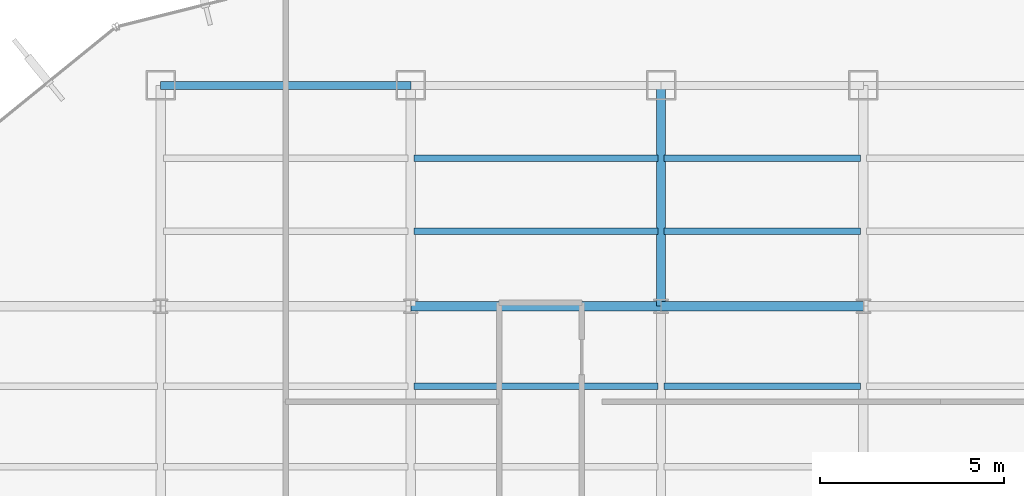
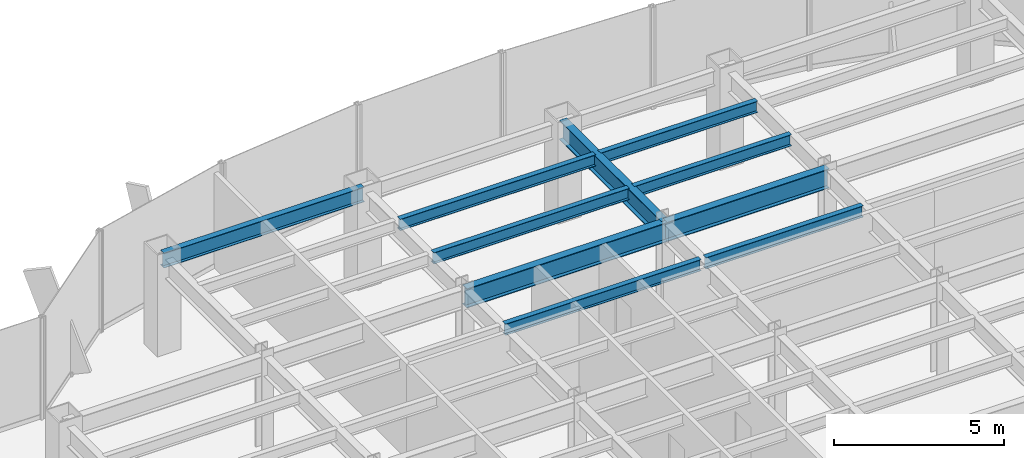
# One storey, part 15 of 26: 10 beams.
"""IFC4 building model written with IfcOpenShell, lengths in metres."""

from ifc_helpers import new_model, si_unit, derived_unit, direction, frame, origin, origin_2d, place, context, subcontext, project, spatial, i_section, extrude, source, transform, mapped, material, material_profile, profile_set, type_object, element, save


model = new_model("IFC4")

# Units and contexts
model_context = context("Model", 3, precision=1e-05, world=origin(), true_north=direction((0.0, 1.0)))
body_context = subcontext(model_context, "Body", "Model", "MODEL_VIEW")
ifc_project = project(units=[si_unit("LENGTHUNIT", "METRE"), si_unit("AREAUNIT", "SQUARE_METRE"), si_unit("VOLUMEUNIT", "CUBIC_METRE"), si_unit("PLANEANGLEUNIT", "RADIAN"), si_unit("MASSUNIT", "GRAM", prefix="KILO"), derived_unit("THERMALTRANSMITTANCEUNIT", [(si_unit("POWERUNIT", "WATT"), 1), (si_unit("LENGTHUNIT", "METRE"), -2), (si_unit("THERMODYNAMICTEMPERATUREUNIT", "KELVIN"), -1)])], contexts=[model_context])

# Site, building, storey
site_placement = place(None, origin())
site = spatial("IfcSite", under=ifc_project, at=site_placement, CompositionType="ELEMENT")
building_placement = place(site_placement, origin())
building = spatial("IfcBuilding", under=site, at=building_placement, Name="Skarnbrae Concourse Arena and Tower", CompositionType="ELEMENT")
storey_placement = place(building_placement, frame((0.0, 0.0, 114.199951171875)))
storey = spatial("IfcBuildingStorey", under=building, at=storey_placement, Name="L28", CompositionType="ELEMENT", Elevation=114.199951171875)

# Beams
ifc_material = material(Name="Steel CSA G40.21 350W", Category="steel")
ifc_material_profile_1 = material_profile(ifc_material, i_section(OverallWidth=0.256103515625, OverallDepth=0.693115234375, WebThickness=0.014404296875, FlangeThickness=0.023681640625, at=origin_2d()), Name="W690X170")
ifc_profile_set_1 = profile_set([ifc_material_profile_1], Name="Steel CSA G40.21 350W")
beam_type_1 = type_object("IfcBeamType", Name="BM-GIRD-W690X170", PredefinedType="BEAM", material=ifc_profile_set_1)
shared_shape_1 = source(origin(), body_context, "Body", "SweptSolid", [
    extrude(i_section(OverallWidth=0.256103515625, OverallDepth=0.693115234375, WebThickness=0.014404296875, FlangeThickness=0.023681640625, at=origin_2d()), origin(), (0.0, 0.0, 1.0), 6.800048828125),
])
beam_1_placement = place(storey_placement, frame((21.199951171875, 34.39990234375, 3.053466796875), z_axis=(1.0, 0.0, 0.0), x_axis=(0.0, 1.0, 0.0)))
element("IfcBeam", 1, at=beam_1_placement, inside=storey, type_object=beam_type_1, Name="L28 Primary E-W girder Y34.4-3", PredefinedType="BEAM", context=body_context, shape_type="MappedRepresentation", body=[
    mapped(shared_shape_1, transform((0.0, 0.0, 0.0))),
])
shared_shape_2 = source(origin(), body_context, "Body", "SweptSolid", [
    extrude(i_section(OverallWidth=0.256103515625, OverallDepth=0.693115234375, WebThickness=0.014404296875, FlangeThickness=0.023681640625, at=origin_2d()), origin(), (0.0, 0.0, 1.0), 5.5),
])
beam_2_placement = place(storey_placement, frame((28.0, 34.39990234375, 3.053466796875), z_axis=(1.0, 0.0, 0.0), x_axis=(0.0, 1.0, 0.0)))
element("IfcBeam", 2, at=beam_2_placement, inside=storey, type_object=beam_type_1, Name="L28 Primary E-W girder Y34.4-4", PredefinedType="BEAM", context=body_context, shape_type="MappedRepresentation", body=[
    mapped(shared_shape_2, transform((0.0, 0.0, 0.0))),
])
ifc_material_profile_2 = material_profile(ifc_material, i_section(OverallWidth=0.208984375, OverallDepth=0.532958984375, WebThickness=0.01025390625, FlangeThickness=0.015625, at=origin_2d()), Name="W530X92")
ifc_profile_set_2 = profile_set([ifc_material_profile_2], Name="Steel CSA G40.21 350W")
beam_type_2 = type_object("IfcBeamType", Name="BM-SPAN-W530X92", PredefinedType="SPANDREL", material=ifc_profile_set_2)
shared_shape_3 = source(origin(), body_context, "Body", "SweptSolid", [
    extrude(i_section(OverallWidth=0.208984375, OverallDepth=0.532958984375, WebThickness=0.01025390625, FlangeThickness=0.015625, at=origin_2d()), origin(), (0.0, 0.0, 1.0), 6.800048828125),
])
beam_3_placement = place(storey_placement, frame((14.39990234375, 40.39990234375, 3.133544921875), z_axis=(1.0, 0.0, 0.0), x_axis=(0.0, 1.0, 0.0)))
element("IfcBeam", 3, at=beam_3_placement, inside=storey, type_object=beam_type_2, Name="L28 Perimeter spandrel Y40.4-1", PredefinedType="SPANDREL", context=body_context, shape_type="MappedRepresentation", body=[
    mapped(shared_shape_3, transform((0.0, 0.0, 0.0))),
])
shared_shape_4 = source(origin(), body_context, "Body", "SweptSolid", [
    extrude(i_section(OverallWidth=0.256103515625, OverallDepth=0.693115234375, WebThickness=0.014404296875, FlangeThickness=0.023681640625, at=origin_2d()), origin(), (0.0, 0.0, 1.0), 6.0),
])
beam_4_placement = place(storey_placement, frame((28.0, 34.39990234375, 3.053466796875), z_axis=(0.0, 1.0, 0.0), x_axis=(-1.0, 0.0, 0.0)))
element("IfcBeam", 4, at=beam_4_placement, inside=storey, type_object=beam_type_1, Name="L28 Primary N-S girder X28.0-4", PredefinedType="BEAM", context=body_context, shape_type="MappedRepresentation", body=[
    mapped(shared_shape_4, transform((0.0, 0.0, 0.0))),
])
ifc_material_profile_3 = material_profile(ifc_material, i_section(OverallWidth=0.177978515625, OverallDepth=0.406982421875, WebThickness=0.0078125, FlangeThickness=0.0126953125, at=origin_2d()), Name="W410X60")
ifc_profile_set_3 = profile_set([ifc_material_profile_3], Name="Steel CSA G40.21 350W")
beam_type_3 = type_object("IfcBeamType", Name="BM-JOIST-W410X60", PredefinedType="JOIST", material=ifc_profile_set_3)
shared_shape_5 = source(origin(), body_context, "Body", "SweptSolid", [
    extrude(i_section(OverallWidth=0.177978515625, OverallDepth=0.406982421875, WebThickness=0.0078125, FlangeThickness=0.0126953125, at=origin_2d()), origin(), (0.0, 0.0, 1.0), 6.639892578125),
])
for number, where, z_axis, x_axis, name in (
    (5, (21.280029296875, 32.221923828125, 3.196533203125), (1.0, 0.0, 0.0), (0.0, 1.0, 0.0), "L28 Secondary floor joist 3.2.3"),
    (6, (21.280029296875, 36.43994140625, 3.196533203125), (1.0, 0.0, 0.0), (0.0, 1.0, 0.0), "L28 Secondary floor joist 4.1.2"),
    (7, (21.280029296875, 38.419921875, 3.196533203125), (1.0, 0.0, 0.0), (0.0, 1.0, 0.0), "L28 Secondary floor joist 4.2.2"),
):
    element("IfcBeam", number, at=place(storey_placement, frame(where, z_axis=z_axis, x_axis=x_axis)), inside=storey, type_object=beam_type_3, Name=name, PredefinedType="JOIST", context=body_context, shape_type="MappedRepresentation", body=[
        mapped(shared_shape_5, transform((0.0, 0.0, 0.0))),
    ])
shared_shape_6 = source(origin(), body_context, "Body", "SweptSolid", [
    extrude(i_section(OverallWidth=0.177978515625, OverallDepth=0.406982421875, WebThickness=0.0078125, FlangeThickness=0.0126953125, at=origin_2d()), origin(), (0.0, 0.0, 1.0), 5.33984375),
])
for number, where, z_axis, x_axis, name in (
    (8, (28.080078125, 32.221923828125, 3.196533203125), (1.0, 0.0, 0.0), (0.0, 1.0, 0.0), "L28 Secondary floor joist 3.2.4"),
    (9, (28.080078125, 36.43994140625, 3.196533203125), (1.0, 0.0, 0.0), (0.0, 1.0, 0.0), "L28 Secondary floor joist 4.1.3"),
    (10, (28.080078125, 38.419921875, 3.196533203125), (1.0, 0.0, 0.0), (0.0, 1.0, 0.0), "L28 Secondary floor joist 4.2.3"),
):
    element("IfcBeam", number, at=place(storey_placement, frame(where, z_axis=z_axis, x_axis=x_axis)), inside=storey, type_object=beam_type_3, Name=name, PredefinedType="JOIST", context=body_context, shape_type="MappedRepresentation", body=[
        mapped(shared_shape_6, transform((0.0, 0.0, 0.0))),
    ])

save(model, "model.ifc")
